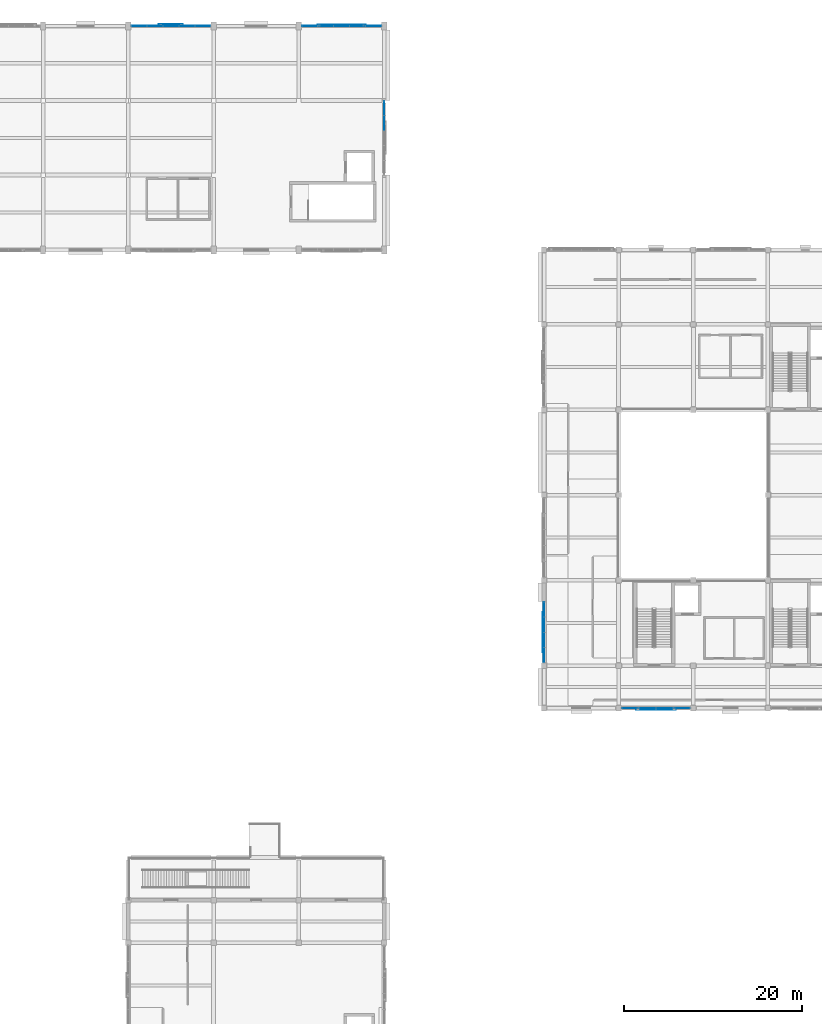
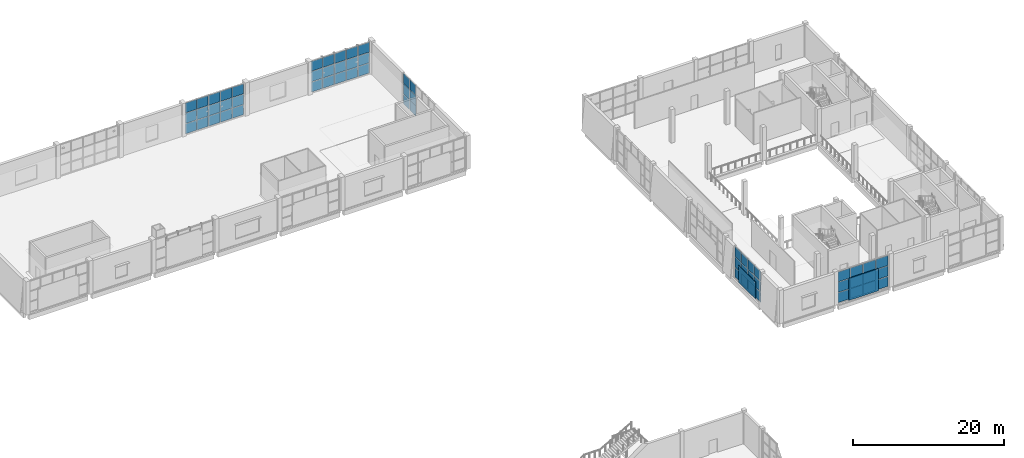
# One storey, part 34 of 57: 64 plates, 5 elements without a shape of their own.
"""IFC4 building model written with IfcOpenShell, lengths in metres."""

from ifc_helpers import new_model, si_unit, direction, frame, origin, origin_2d, place, context, subcontext, project, spatial, rectangle, extrude, material, layer, layer_set, type_object, element, aggregate, save


model = new_model("IFC4")

# Units and contexts
model_context = context("Model", 3, precision=1e-05, world=origin(), true_north=direction((0.0, 1.0)))
body_context = subcontext(model_context, "Body", "Model", "MODEL_VIEW")
ifc_project = project(units=[si_unit("LENGTHUNIT", "METRE"), si_unit("AREAUNIT", "SQUARE_METRE"), si_unit("VOLUMEUNIT", "CUBIC_METRE"), si_unit("PLANEANGLEUNIT", "RADIAN"), si_unit("MASSUNIT", "GRAM", prefix="KILO")], contexts=[model_context])

# Site, building, storey
site_placement = place(None, origin())
site = spatial("IfcSite", under=ifc_project, at=site_placement, CompositionType="ELEMENT")
building_placement = place(site_placement, origin())
building = spatial("IfcBuilding", under=site, at=building_placement, Name="Shalvenor Court Art Gallery", CompositionType="ELEMENT")
storey_placement = place(building_placement, frame((0.0, 0.0, 16.800048828125)))
storey = spatial("IfcBuildingStorey", under=building, at=storey_placement, Name="L03", CompositionType="ELEMENT", Elevation=16.800048828125)

# Curtain wall, plates
ifc_material_1 = material(Name="Anodised aluminium and low-iron glass curtain wall", Category="aluminium")
curtain_wall_type_1 = type_object("IfcCurtainWallType", Name="CW-4x3-78-51-442", PredefinedType="USERDEFINED", material=ifc_material_1)
curtain_wall_1_placement = place(storey_placement, origin())
curtain_wall_1 = element("IfcCurtainWall", 1, at=curtain_wall_1_placement, inside=storey, type_object=curtain_wall_type_1, Name="L03 V1 Curtain Wall CW-L03-026", ObjectType="CURTAIN WALL", PredefinedType="USERDEFINED")
ifc_material_2 = material(Name="Low-iron triple-silver solar gallery glazing IGU", Category="glass")
ifc_layer_1 = layer(ifc_material_2, 0.031982421875, Name="Low-iron triple-silver solar gallery glazing IGU")
ifc_layer_set_1 = layer_set([ifc_layer_1], Name="Low-iron triple-silver solar gallery glazing IGU")
plate_type_1 = type_object("IfcPlateType", Name="CWP-02", PredefinedType="CURTAIN_PANEL", material=ifc_layer_set_1)
plate_1_placement = place(storey_placement, frame((158.30615234375, 45.60009765625, 0.06982421875), z_axis=(0.0, 0.0, 1.0), x_axis=(-1.0, 0.0, 0.0)))
plate_1 = element("IfcPlate", 2, at=plate_1_placement, type_object=plate_type_1, Name="CW-4x3-78-51-442 panel 1.1", PredefinedType="CURTAIN_PANEL", context=body_context, shape_type="SweptSolid", body=[
    extrude(rectangle(XDim=1.83740234375, YDim=0.031982421875, at=origin_2d()), origin(), (0.0, 0.0, 1.0), 1.594970703125),
])
plate_2_placement = place(storey_placement, frame((158.30615234375, 45.60009765625, 1.735107421875), z_axis=(0.0, 0.0, 1.0), x_axis=(-1.0, 0.0, 0.0)))
plate_2 = element("IfcPlate", 3, at=plate_2_placement, type_object=plate_type_1, Name="CW-4x3-78-51-442 panel 1.2", PredefinedType="CURTAIN_PANEL", context=body_context, shape_type="SweptSolid", body=[
    extrude(rectangle(XDim=1.83740234375, YDim=0.031982421875, at=origin_2d()), origin(), (0.0, 0.0, 1.0), 1.6298828125),
])
plate_3_placement = place(storey_placement, frame((158.30615234375, 45.60009765625, 3.43505859375), z_axis=(0.0, 0.0, 1.0), x_axis=(-1.0, 0.0, 0.0)))
plate_3 = element("IfcPlate", 4, at=plate_3_placement, type_object=plate_type_1, Name="CW-4x3-78-51-442 panel 1.3", PredefinedType="CURTAIN_PANEL", context=body_context, shape_type="SweptSolid", body=[
    extrude(rectangle(XDim=1.83740234375, YDim=0.031982421875, at=origin_2d()), origin(), (0.0, 0.0, 1.0), 1.594970703125),
])
plate_4_placement = place(storey_placement, frame((156.375, 45.60009765625, 0.06982421875), z_axis=(0.0, 0.0, 1.0), x_axis=(-1.0, 0.0, 0.0)))
plate_4 = element("IfcPlate", 5, at=plate_4_placement, type_object=plate_type_1, Name="CW-4x3-78-51-442 panel 2.1", PredefinedType="CURTAIN_PANEL", context=body_context, shape_type="SweptSolid", body=[
    extrude(rectangle(XDim=1.875, YDim=0.031982421875, at=origin_2d()), origin(), (0.0, 0.0, 1.0), 1.594970703125),
])
plate_5_placement = place(storey_placement, frame((156.375, 45.60009765625, 1.735107421875), z_axis=(0.0, 0.0, 1.0), x_axis=(-1.0, 0.0, 0.0)))
plate_5 = element("IfcPlate", 6, at=plate_5_placement, type_object=plate_type_1, Name="CW-4x3-78-51-442 panel 2.2", PredefinedType="CURTAIN_PANEL", context=body_context, shape_type="SweptSolid", body=[
    extrude(rectangle(XDim=1.875, YDim=0.031982421875, at=origin_2d()), origin(), (0.0, 0.0, 1.0), 1.6298828125),
])
plate_6_placement = place(storey_placement, frame((156.375, 45.60009765625, 3.43505859375), z_axis=(0.0, 0.0, 1.0), x_axis=(-1.0, 0.0, 0.0)))
plate_6 = element("IfcPlate", 7, at=plate_6_placement, type_object=plate_type_1, Name="CW-4x3-78-51-442 panel 2.3", PredefinedType="CURTAIN_PANEL", context=body_context, shape_type="SweptSolid", body=[
    extrude(rectangle(XDim=1.875, YDim=0.031982421875, at=origin_2d()), origin(), (0.0, 0.0, 1.0), 1.594970703125),
])
plate_7_placement = place(storey_placement, frame((154.425048828125, 45.60009765625, 0.06982421875), z_axis=(0.0, 0.0, 1.0), x_axis=(-1.0, 0.0, 0.0)))
plate_7 = element("IfcPlate", 8, at=plate_7_placement, type_object=plate_type_1, Name="CW-4x3-78-51-442 panel 3.1", PredefinedType="CURTAIN_PANEL", context=body_context, shape_type="SweptSolid", body=[
    extrude(rectangle(XDim=1.875, YDim=0.031982421875, at=origin_2d()), origin(), (0.0, 0.0, 1.0), 1.594970703125),
])
plate_8_placement = place(storey_placement, frame((154.425048828125, 45.60009765625, 1.735107421875), z_axis=(0.0, 0.0, 1.0), x_axis=(-1.0, 0.0, 0.0)))
plate_8 = element("IfcPlate", 9, at=plate_8_placement, type_object=plate_type_1, Name="CW-4x3-78-51-442 panel 3.2", PredefinedType="CURTAIN_PANEL", context=body_context, shape_type="SweptSolid", body=[
    extrude(rectangle(XDim=1.875, YDim=0.031982421875, at=origin_2d()), origin(), (0.0, 0.0, 1.0), 1.6298828125),
])
plate_9_placement = place(storey_placement, frame((154.425048828125, 45.60009765625, 3.43505859375), z_axis=(0.0, 0.0, 1.0), x_axis=(-1.0, 0.0, 0.0)))
plate_9 = element("IfcPlate", 10, at=plate_9_placement, type_object=plate_type_1, Name="CW-4x3-78-51-442 panel 3.3", PredefinedType="CURTAIN_PANEL", context=body_context, shape_type="SweptSolid", body=[
    extrude(rectangle(XDim=1.875, YDim=0.031982421875, at=origin_2d()), origin(), (0.0, 0.0, 1.0), 1.594970703125),
])
plate_10_placement = place(storey_placement, frame((152.49365234375, 45.60009765625, 0.06982421875), z_axis=(0.0, 0.0, 1.0), x_axis=(-1.0, 0.0, 0.0)))
plate_10 = element("IfcPlate", 11, at=plate_10_placement, type_object=plate_type_1, Name="CW-4x3-78-51-442 panel 4.1", PredefinedType="CURTAIN_PANEL", context=body_context, shape_type="SweptSolid", body=[
    extrude(rectangle(XDim=1.83740234375, YDim=0.031982421875, at=origin_2d()), origin(), (0.0, 0.0, 1.0), 1.594970703125),
])
plate_11_placement = place(storey_placement, frame((152.49365234375, 45.60009765625, 1.735107421875), z_axis=(0.0, 0.0, 1.0), x_axis=(-1.0, 0.0, 0.0)))
plate_11 = element("IfcPlate", 12, at=plate_11_placement, type_object=plate_type_1, Name="CW-4x3-78-51-442 panel 4.2", PredefinedType="CURTAIN_PANEL", context=body_context, shape_type="SweptSolid", body=[
    extrude(rectangle(XDim=1.83740234375, YDim=0.031982421875, at=origin_2d()), origin(), (0.0, 0.0, 1.0), 1.6298828125),
])
plate_12_placement = place(storey_placement, frame((152.49365234375, 45.60009765625, 3.43505859375), z_axis=(0.0, 0.0, 1.0), x_axis=(-1.0, 0.0, 0.0)))
plate_12 = element("IfcPlate", 13, at=plate_12_placement, type_object=plate_type_1, Name="CW-4x3-78-51-442 panel 4.3", PredefinedType="CURTAIN_PANEL", context=body_context, shape_type="SweptSolid", body=[
    extrude(rectangle(XDim=1.83740234375, YDim=0.031982421875, at=origin_2d()), origin(), (0.0, 0.0, 1.0), 1.594970703125),
])
aggregate(curtain_wall_1, [plate_1, plate_2, plate_3, plate_4, plate_5, plate_6, plate_7, plate_8, plate_9, plate_10, plate_11, plate_12])

ifc_material_3 = material(Name="Anodised aluminium and low-iron glass curtain wall", Category="aluminium")
curtain_wall_type_2 = type_object("IfcCurtainWallType", Name="CW-4x3-69-51-612", PredefinedType="USERDEFINED", material=ifc_material_3)
curtain_wall_2_placement = place(storey_placement, origin())
curtain_wall_2 = element("IfcCurtainWall", 14, at=curtain_wall_2_placement, inside=storey, type_object=curtain_wall_type_2, Name="L03 V1 Curtain Wall CW-L03-027", ObjectType="CURTAIN WALL", PredefinedType="USERDEFINED")
plate_13_placement = place(storey_placement, frame((142.800048828125, 51.576171875, 0.06005859375), z_axis=(0.0, 0.0, 1.0), x_axis=(0.0, 1.0, 0.0)))
plate_13 = element("IfcPlate", 15, at=plate_13_placement, type_object=plate_type_1, Name="CW-4x3-69-51-612 panel 1.1", PredefinedType="CURTAIN_PANEL", context=body_context, shape_type="SweptSolid", body=[
    extrude(rectangle(XDim=1.642578125, YDim=0.031982421875, at=origin_2d()), origin(), (0.0, 0.0, 1.0), 1.610107421875),
])
plate_14_placement = place(storey_placement, frame((142.800048828125, 51.576171875, 1.72998046875), z_axis=(0.0, 0.0, 1.0), x_axis=(0.0, 1.0, 0.0)))
plate_14 = element("IfcPlate", 16, at=plate_14_placement, type_object=plate_type_1, Name="CW-4x3-69-51-612 panel 1.2", PredefinedType="CURTAIN_PANEL", context=body_context, shape_type="SweptSolid", body=[
    extrude(rectangle(XDim=1.642578125, YDim=0.031982421875, at=origin_2d()), origin(), (0.0, 0.0, 1.0), 1.639892578125),
])
plate_15_placement = place(storey_placement, frame((142.800048828125, 51.576171875, 3.4296875), z_axis=(0.0, 0.0, 1.0), x_axis=(0.0, 1.0, 0.0)))
plate_15 = element("IfcPlate", 17, at=plate_15_placement, type_object=plate_type_1, Name="CW-4x3-69-51-612 panel 1.3", PredefinedType="CURTAIN_PANEL", context=body_context, shape_type="SweptSolid", body=[
    extrude(rectangle(XDim=1.642578125, YDim=0.031982421875, at=origin_2d()), origin(), (0.0, 0.0, 1.0), 1.610107421875),
])
plate_16_placement = place(storey_placement, frame((142.800048828125, 53.28759765625, 0.06005859375), z_axis=(0.0, 0.0, 1.0), x_axis=(0.0, 1.0, 0.0)))
plate_16 = element("IfcPlate", 18, at=plate_16_placement, type_object=plate_type_1, Name="CW-4x3-69-51-612 panel 2.1", PredefinedType="CURTAIN_PANEL", context=body_context, shape_type="SweptSolid", body=[
    extrude(rectangle(XDim=1.669921875, YDim=0.031982421875, at=origin_2d()), origin(), (0.0, 0.0, 1.0), 1.610107421875),
])
plate_17_placement = place(storey_placement, frame((142.800048828125, 53.28759765625, 1.72998046875), z_axis=(0.0, 0.0, 1.0), x_axis=(0.0, 1.0, 0.0)))
plate_17 = element("IfcPlate", 19, at=plate_17_placement, type_object=plate_type_1, Name="CW-4x3-69-51-612 panel 2.2", PredefinedType="CURTAIN_PANEL", context=body_context, shape_type="SweptSolid", body=[
    extrude(rectangle(XDim=1.669921875, YDim=0.031982421875, at=origin_2d()), origin(), (0.0, 0.0, 1.0), 1.639892578125),
])
plate_18_placement = place(storey_placement, frame((142.800048828125, 53.28759765625, 3.4296875), z_axis=(0.0, 0.0, 1.0), x_axis=(0.0, 1.0, 0.0)))
plate_18 = element("IfcPlate", 20, at=plate_18_placement, type_object=plate_type_1, Name="CW-4x3-69-51-612 panel 2.3", PredefinedType="CURTAIN_PANEL", context=body_context, shape_type="SweptSolid", body=[
    extrude(rectangle(XDim=1.669921875, YDim=0.031982421875, at=origin_2d()), origin(), (0.0, 0.0, 1.0), 1.610107421875),
])
plate_19_placement = place(storey_placement, frame((142.800048828125, 55.012451171875, 0.06005859375), z_axis=(0.0, 0.0, 1.0), x_axis=(0.0, 1.0, 0.0)))
plate_19 = element("IfcPlate", 21, at=plate_19_placement, type_object=plate_type_1, Name="CW-4x3-69-51-612 panel 3.1", PredefinedType="CURTAIN_PANEL", context=body_context, shape_type="SweptSolid", body=[
    extrude(rectangle(XDim=1.669921875, YDim=0.031982421875, at=origin_2d()), origin(), (0.0, 0.0, 1.0), 1.610107421875),
])
plate_20_placement = place(storey_placement, frame((142.800048828125, 55.012451171875, 1.72998046875), z_axis=(0.0, 0.0, 1.0), x_axis=(0.0, 1.0, 0.0)))
plate_20 = element("IfcPlate", 22, at=plate_20_placement, type_object=plate_type_1, Name="CW-4x3-69-51-612 panel 3.2", PredefinedType="CURTAIN_PANEL", context=body_context, shape_type="SweptSolid", body=[
    extrude(rectangle(XDim=1.669921875, YDim=0.031982421875, at=origin_2d()), origin(), (0.0, 0.0, 1.0), 1.639892578125),
])
plate_21_placement = place(storey_placement, frame((142.800048828125, 55.012451171875, 3.4296875), z_axis=(0.0, 0.0, 1.0), x_axis=(0.0, 1.0, 0.0)))
plate_21 = element("IfcPlate", 23, at=plate_21_placement, type_object=plate_type_1, Name="CW-4x3-69-51-612 panel 3.3", PredefinedType="CURTAIN_PANEL", context=body_context, shape_type="SweptSolid", body=[
    extrude(rectangle(XDim=1.669921875, YDim=0.031982421875, at=origin_2d()), origin(), (0.0, 0.0, 1.0), 1.610107421875),
])
plate_22_placement = place(storey_placement, frame((142.800048828125, 56.7236328125, 0.06005859375), z_axis=(0.0, 0.0, 1.0), x_axis=(0.0, 1.0, 0.0)))
plate_22 = element("IfcPlate", 24, at=plate_22_placement, type_object=plate_type_1, Name="CW-4x3-69-51-612 panel 4.1", PredefinedType="CURTAIN_PANEL", context=body_context, shape_type="SweptSolid", body=[
    extrude(rectangle(XDim=1.642578125, YDim=0.031982421875, at=origin_2d()), origin(), (0.0, 0.0, 1.0), 1.610107421875),
])
plate_23_placement = place(storey_placement, frame((142.800048828125, 56.7236328125, 1.72998046875), z_axis=(0.0, 0.0, 1.0), x_axis=(0.0, 1.0, 0.0)))
plate_23 = element("IfcPlate", 25, at=plate_23_placement, type_object=plate_type_1, Name="CW-4x3-69-51-612 panel 4.2", PredefinedType="CURTAIN_PANEL", context=body_context, shape_type="SweptSolid", body=[
    extrude(rectangle(XDim=1.642578125, YDim=0.031982421875, at=origin_2d()), origin(), (0.0, 0.0, 1.0), 1.639892578125),
])
plate_24_placement = place(storey_placement, frame((142.800048828125, 56.7236328125, 3.4296875), z_axis=(0.0, 0.0, 1.0), x_axis=(0.0, 1.0, 0.0)))
plate_24 = element("IfcPlate", 26, at=plate_24_placement, type_object=plate_type_1, Name="CW-4x3-69-51-612 panel 4.3", PredefinedType="CURTAIN_PANEL", context=body_context, shape_type="SweptSolid", body=[
    extrude(rectangle(XDim=1.642578125, YDim=0.031982421875, at=origin_2d()), origin(), (0.0, 0.0, 1.0), 1.610107421875),
])
aggregate(curtain_wall_2, [plate_13, plate_14, plate_15, plate_16, plate_17, plate_18, plate_19, plate_20, plate_21, plate_22, plate_23, plate_24])

ifc_material_4 = material(Name="Anodised aluminium and low-iron glass curtain wall", Category="aluminium")
curtain_wall_type_3 = type_object("IfcCurtainWallType", Name="CW-5x3-90-51-422", PredefinedType="USERDEFINED", material=ifc_material_4)
curtain_wall_3_placement = place(storey_placement, origin())
curtain_wall_3 = element("IfcCurtainWall", 27, at=curtain_wall_3_placement, inside=storey, type_object=curtain_wall_type_3, Name="L03 V2 Curtain Wall CW-L03-082", ObjectType="CURTAIN WALL", PredefinedType="USERDEFINED")
plate_25_placement = place(storey_placement, frame((97.21875, 122.39990234375, 0.06494140625), z_axis=(0.0, 0.0, 1.0), x_axis=(1.0, 0.0, 0.0)))
plate_25 = element("IfcPlate", 28, at=plate_25_placement, type_object=plate_type_1, Name="CW-5x3-90-51-422 panel 1.1", PredefinedType="CURTAIN_PANEL", context=body_context, shape_type="SweptSolid", body=[
    extrude(rectangle(XDim=1.6875, YDim=0.031982421875, at=origin_2d()), origin(), (0.0, 0.0, 1.0), 1.6025390625),
])
plate_26_placement = place(storey_placement, frame((97.21875, 122.39990234375, 1.732421875), z_axis=(0.0, 0.0, 1.0), x_axis=(1.0, 0.0, 0.0)))
plate_26 = element("IfcPlate", 29, at=plate_26_placement, type_object=plate_type_1, Name="CW-5x3-90-51-422 panel 1.2", PredefinedType="CURTAIN_PANEL", context=body_context, shape_type="SweptSolid", body=[
    extrude(rectangle(XDim=1.6875, YDim=0.031982421875, at=origin_2d()), origin(), (0.0, 0.0, 1.0), 1.635009765625),
])
plate_27_placement = place(storey_placement, frame((97.21875, 122.39990234375, 3.432373046875), z_axis=(0.0, 0.0, 1.0), x_axis=(1.0, 0.0, 0.0)))
plate_27 = element("IfcPlate", 30, at=plate_27_placement, type_object=plate_type_1, Name="CW-5x3-90-51-422 panel 1.3", PredefinedType="CURTAIN_PANEL", context=body_context, shape_type="SweptSolid", body=[
    extrude(rectangle(XDim=1.6875, YDim=0.031982421875, at=origin_2d()), origin(), (0.0, 0.0, 1.0), 1.6025390625),
])
plate_28_placement = place(storey_placement, frame((99.0, 122.39990234375, 0.06494140625), z_axis=(0.0, 0.0, 1.0), x_axis=(1.0, 0.0, 0.0)))
plate_28 = element("IfcPlate", 31, at=plate_28_placement, type_object=plate_type_1, Name="CW-5x3-90-51-422 panel 2.1", PredefinedType="CURTAIN_PANEL", context=body_context, shape_type="SweptSolid", body=[
    extrude(rectangle(XDim=1.72509765625, YDim=0.031982421875, at=origin_2d()), origin(), (0.0, 0.0, 1.0), 1.6025390625),
])
plate_29_placement = place(storey_placement, frame((99.0, 122.39990234375, 1.732421875), z_axis=(0.0, 0.0, 1.0), x_axis=(1.0, 0.0, 0.0)))
plate_29 = element("IfcPlate", 32, at=plate_29_placement, type_object=plate_type_1, Name="CW-5x3-90-51-422 panel 2.2", PredefinedType="CURTAIN_PANEL", context=body_context, shape_type="SweptSolid", body=[
    extrude(rectangle(XDim=1.72509765625, YDim=0.031982421875, at=origin_2d()), origin(), (0.0, 0.0, 1.0), 1.635009765625),
])
plate_30_placement = place(storey_placement, frame((99.0, 122.39990234375, 3.432373046875), z_axis=(0.0, 0.0, 1.0), x_axis=(1.0, 0.0, 0.0)))
plate_30 = element("IfcPlate", 33, at=plate_30_placement, type_object=plate_type_1, Name="CW-5x3-90-51-422 panel 2.3", PredefinedType="CURTAIN_PANEL", context=body_context, shape_type="SweptSolid", body=[
    extrude(rectangle(XDim=1.72509765625, YDim=0.031982421875, at=origin_2d()), origin(), (0.0, 0.0, 1.0), 1.6025390625),
])
plate_31_placement = place(storey_placement, frame((100.800048828125, 122.39990234375, 0.06494140625), z_axis=(0.0, 0.0, 1.0), x_axis=(1.0, 0.0, 0.0)))
plate_31 = element("IfcPlate", 34, at=plate_31_placement, type_object=plate_type_1, Name="CW-5x3-90-51-422 panel 3.1", PredefinedType="CURTAIN_PANEL", context=body_context, shape_type="SweptSolid", body=[
    extrude(rectangle(XDim=1.72509765625, YDim=0.031982421875, at=origin_2d()), origin(), (0.0, 0.0, 1.0), 1.6025390625),
])
plate_32_placement = place(storey_placement, frame((100.800048828125, 122.39990234375, 1.732421875), z_axis=(0.0, 0.0, 1.0), x_axis=(1.0, 0.0, 0.0)))
plate_32 = element("IfcPlate", 35, at=plate_32_placement, type_object=plate_type_1, Name="CW-5x3-90-51-422 panel 3.2", PredefinedType="CURTAIN_PANEL", context=body_context, shape_type="SweptSolid", body=[
    extrude(rectangle(XDim=1.72509765625, YDim=0.031982421875, at=origin_2d()), origin(), (0.0, 0.0, 1.0), 1.635009765625),
])
plate_33_placement = place(storey_placement, frame((100.800048828125, 122.39990234375, 3.432373046875), z_axis=(0.0, 0.0, 1.0), x_axis=(1.0, 0.0, 0.0)))
plate_33 = element("IfcPlate", 36, at=plate_33_placement, type_object=plate_type_1, Name="CW-5x3-90-51-422 panel 3.3", PredefinedType="CURTAIN_PANEL", context=body_context, shape_type="SweptSolid", body=[
    extrude(rectangle(XDim=1.72509765625, YDim=0.031982421875, at=origin_2d()), origin(), (0.0, 0.0, 1.0), 1.6025390625),
])
plate_34_placement = place(storey_placement, frame((102.60009765625, 122.39990234375, 0.06494140625), z_axis=(0.0, 0.0, 1.0), x_axis=(1.0, 0.0, 0.0)))
plate_34 = element("IfcPlate", 37, at=plate_34_placement, type_object=plate_type_1, Name="CW-5x3-90-51-422 panel 4.1", PredefinedType="CURTAIN_PANEL", context=body_context, shape_type="SweptSolid", body=[
    extrude(rectangle(XDim=1.72509765625, YDim=0.031982421875, at=origin_2d()), origin(), (0.0, 0.0, 1.0), 1.6025390625),
])
plate_35_placement = place(storey_placement, frame((102.60009765625, 122.39990234375, 1.732421875), z_axis=(0.0, 0.0, 1.0), x_axis=(1.0, 0.0, 0.0)))
plate_35 = element("IfcPlate", 38, at=plate_35_placement, type_object=plate_type_1, Name="CW-5x3-90-51-422 panel 4.2", PredefinedType="CURTAIN_PANEL", context=body_context, shape_type="SweptSolid", body=[
    extrude(rectangle(XDim=1.72509765625, YDim=0.031982421875, at=origin_2d()), origin(), (0.0, 0.0, 1.0), 1.635009765625),
])
plate_36_placement = place(storey_placement, frame((102.60009765625, 122.39990234375, 3.432373046875), z_axis=(0.0, 0.0, 1.0), x_axis=(1.0, 0.0, 0.0)))
plate_36 = element("IfcPlate", 39, at=plate_36_placement, type_object=plate_type_1, Name="CW-5x3-90-51-422 panel 4.3", PredefinedType="CURTAIN_PANEL", context=body_context, shape_type="SweptSolid", body=[
    extrude(rectangle(XDim=1.72509765625, YDim=0.031982421875, at=origin_2d()), origin(), (0.0, 0.0, 1.0), 1.6025390625),
])
plate_37_placement = place(storey_placement, frame((104.38134765625, 122.39990234375, 0.06494140625), z_axis=(0.0, 0.0, 1.0), x_axis=(1.0, 0.0, 0.0)))
plate_37 = element("IfcPlate", 40, at=plate_37_placement, type_object=plate_type_1, Name="CW-5x3-90-51-422 panel 5.1", PredefinedType="CURTAIN_PANEL", context=body_context, shape_type="SweptSolid", body=[
    extrude(rectangle(XDim=1.6875, YDim=0.031982421875, at=origin_2d()), origin(), (0.0, 0.0, 1.0), 1.6025390625),
])
plate_38_placement = place(storey_placement, frame((104.38134765625, 122.39990234375, 1.732421875), z_axis=(0.0, 0.0, 1.0), x_axis=(1.0, 0.0, 0.0)))
plate_38 = element("IfcPlate", 41, at=plate_38_placement, type_object=plate_type_1, Name="CW-5x3-90-51-422 panel 5.2", PredefinedType="CURTAIN_PANEL", context=body_context, shape_type="SweptSolid", body=[
    extrude(rectangle(XDim=1.6875, YDim=0.031982421875, at=origin_2d()), origin(), (0.0, 0.0, 1.0), 1.635009765625),
])
plate_39_placement = place(storey_placement, frame((104.38134765625, 122.39990234375, 3.432373046875), z_axis=(0.0, 0.0, 1.0), x_axis=(1.0, 0.0, 0.0)))
plate_39 = element("IfcPlate", 42, at=plate_39_placement, type_object=plate_type_1, Name="CW-5x3-90-51-422 panel 5.3", PredefinedType="CURTAIN_PANEL", context=body_context, shape_type="SweptSolid", body=[
    extrude(rectangle(XDim=1.6875, YDim=0.031982421875, at=origin_2d()), origin(), (0.0, 0.0, 1.0), 1.6025390625),
])
aggregate(curtain_wall_3, [plate_25, plate_26, plate_27, plate_28, plate_29, plate_30, plate_31, plate_32, plate_33, plate_34, plate_35, plate_36, plate_37, plate_38, plate_39])

ifc_material_5 = material(Name="Anodised aluminium and low-iron glass curtain wall", Category="aluminium")
curtain_wall_type_4 = type_object("IfcCurtainWallType", Name="CW-5x3-90-51-642", PredefinedType="USERDEFINED", material=ifc_material_5)
curtain_wall_4_placement = place(storey_placement, origin())
curtain_wall_4 = element("IfcCurtainWall", 43, at=curtain_wall_4_placement, inside=storey, type_object=curtain_wall_type_4, Name="L03 V2 Curtain Wall CW-L03-083", ObjectType="CURTAIN WALL", PredefinedType="USERDEFINED")
plate_40_placement = place(storey_placement, frame((116.413818359375, 122.39990234375, 0.06982421875), z_axis=(0.0, 0.0, 1.0), x_axis=(1.0, 0.0, 0.0)))
plate_40 = element("IfcPlate", 44, at=plate_40_placement, type_object=plate_type_1, Name="CW-5x3-90-51-642 panel 1.1", PredefinedType="CURTAIN_PANEL", context=body_context, shape_type="SweptSolid", body=[
    extrude(rectangle(XDim=1.717529296875, YDim=0.031982421875, at=origin_2d()), origin(), (0.0, 0.0, 1.0), 1.594970703125),
])
plate_41_placement = place(storey_placement, frame((116.413818359375, 122.39990234375, 1.735107421875), z_axis=(0.0, 0.0, 1.0), x_axis=(1.0, 0.0, 0.0)))
plate_41 = element("IfcPlate", 45, at=plate_41_placement, type_object=plate_type_1, Name="CW-5x3-90-51-642 panel 1.2", PredefinedType="CURTAIN_PANEL", context=body_context, shape_type="SweptSolid", body=[
    extrude(rectangle(XDim=1.717529296875, YDim=0.031982421875, at=origin_2d()), origin(), (0.0, 0.0, 1.0), 1.6298828125),
])
plate_42_placement = place(storey_placement, frame((116.413818359375, 122.39990234375, 3.43505859375), z_axis=(0.0, 0.0, 1.0), x_axis=(1.0, 0.0, 0.0)))
plate_42 = element("IfcPlate", 46, at=plate_42_placement, type_object=plate_type_1, Name="CW-5x3-90-51-642 panel 1.3", PredefinedType="CURTAIN_PANEL", context=body_context, shape_type="SweptSolid", body=[
    extrude(rectangle(XDim=1.717529296875, YDim=0.031982421875, at=origin_2d()), origin(), (0.0, 0.0, 1.0), 1.594970703125),
])
plate_43_placement = place(storey_placement, frame((118.199951171875, 122.39990234375, 0.06982421875), z_axis=(0.0, 0.0, 1.0), x_axis=(1.0, 0.0, 0.0)))
plate_43 = element("IfcPlate", 47, at=plate_43_placement, type_object=plate_type_1, Name="CW-5x3-90-51-642 panel 2.1", PredefinedType="CURTAIN_PANEL", context=body_context, shape_type="SweptSolid", body=[
    extrude(rectangle(XDim=1.7451171875, YDim=0.031982421875, at=origin_2d()), origin(), (0.0, 0.0, 1.0), 1.594970703125),
])
plate_44_placement = place(storey_placement, frame((118.199951171875, 122.39990234375, 1.735107421875), z_axis=(0.0, 0.0, 1.0), x_axis=(1.0, 0.0, 0.0)))
plate_44 = element("IfcPlate", 48, at=plate_44_placement, type_object=plate_type_1, Name="CW-5x3-90-51-642 panel 2.2", PredefinedType="CURTAIN_PANEL", context=body_context, shape_type="SweptSolid", body=[
    extrude(rectangle(XDim=1.7451171875, YDim=0.031982421875, at=origin_2d()), origin(), (0.0, 0.0, 1.0), 1.6298828125),
])
plate_45_placement = place(storey_placement, frame((118.199951171875, 122.39990234375, 3.43505859375), z_axis=(0.0, 0.0, 1.0), x_axis=(1.0, 0.0, 0.0)))
plate_45 = element("IfcPlate", 49, at=plate_45_placement, type_object=plate_type_1, Name="CW-5x3-90-51-642 panel 2.3", PredefinedType="CURTAIN_PANEL", context=body_context, shape_type="SweptSolid", body=[
    extrude(rectangle(XDim=1.7451171875, YDim=0.031982421875, at=origin_2d()), origin(), (0.0, 0.0, 1.0), 1.594970703125),
])
plate_46_placement = place(storey_placement, frame((120.0, 122.39990234375, 0.06982421875), z_axis=(0.0, 0.0, 1.0), x_axis=(1.0, 0.0, 0.0)))
plate_46 = element("IfcPlate", 50, at=plate_46_placement, type_object=plate_type_1, Name="CW-5x3-90-51-642 panel 3.1", PredefinedType="CURTAIN_PANEL", context=body_context, shape_type="SweptSolid", body=[
    extrude(rectangle(XDim=1.7451171875, YDim=0.031982421875, at=origin_2d()), origin(), (0.0, 0.0, 1.0), 1.594970703125),
])
plate_47_placement = place(storey_placement, frame((120.0, 122.39990234375, 1.735107421875), z_axis=(0.0, 0.0, 1.0), x_axis=(1.0, 0.0, 0.0)))
plate_47 = element("IfcPlate", 51, at=plate_47_placement, type_object=plate_type_1, Name="CW-5x3-90-51-642 panel 3.2", PredefinedType="CURTAIN_PANEL", context=body_context, shape_type="SweptSolid", body=[
    extrude(rectangle(XDim=1.7451171875, YDim=0.031982421875, at=origin_2d()), origin(), (0.0, 0.0, 1.0), 1.6298828125),
])
plate_48_placement = place(storey_placement, frame((120.0, 122.39990234375, 3.43505859375), z_axis=(0.0, 0.0, 1.0), x_axis=(1.0, 0.0, 0.0)))
plate_48 = element("IfcPlate", 52, at=plate_48_placement, type_object=plate_type_1, Name="CW-5x3-90-51-642 panel 3.3", PredefinedType="CURTAIN_PANEL", context=body_context, shape_type="SweptSolid", body=[
    extrude(rectangle(XDim=1.7451171875, YDim=0.031982421875, at=origin_2d()), origin(), (0.0, 0.0, 1.0), 1.594970703125),
])
plate_49_placement = place(storey_placement, frame((121.800048828125, 122.39990234375, 0.06982421875), z_axis=(0.0, 0.0, 1.0), x_axis=(1.0, 0.0, 0.0)))
plate_49 = element("IfcPlate", 53, at=plate_49_placement, type_object=plate_type_1, Name="CW-5x3-90-51-642 panel 4.1", PredefinedType="CURTAIN_PANEL", context=body_context, shape_type="SweptSolid", body=[
    extrude(rectangle(XDim=1.7451171875, YDim=0.031982421875, at=origin_2d()), origin(), (0.0, 0.0, 1.0), 1.594970703125),
])
plate_50_placement = place(storey_placement, frame((121.800048828125, 122.39990234375, 1.735107421875), z_axis=(0.0, 0.0, 1.0), x_axis=(1.0, 0.0, 0.0)))
plate_50 = element("IfcPlate", 54, at=plate_50_placement, type_object=plate_type_1, Name="CW-5x3-90-51-642 panel 4.2", PredefinedType="CURTAIN_PANEL", context=body_context, shape_type="SweptSolid", body=[
    extrude(rectangle(XDim=1.7451171875, YDim=0.031982421875, at=origin_2d()), origin(), (0.0, 0.0, 1.0), 1.6298828125),
])
plate_51_placement = place(storey_placement, frame((121.800048828125, 122.39990234375, 3.43505859375), z_axis=(0.0, 0.0, 1.0), x_axis=(1.0, 0.0, 0.0)))
plate_51 = element("IfcPlate", 55, at=plate_51_placement, type_object=plate_type_1, Name="CW-5x3-90-51-642 panel 4.3", PredefinedType="CURTAIN_PANEL", context=body_context, shape_type="SweptSolid", body=[
    extrude(rectangle(XDim=1.7451171875, YDim=0.031982421875, at=origin_2d()), origin(), (0.0, 0.0, 1.0), 1.594970703125),
])
plate_52_placement = place(storey_placement, frame((123.586181640625, 122.39990234375, 0.06982421875), z_axis=(0.0, 0.0, 1.0), x_axis=(1.0, 0.0, 0.0)))
plate_52 = element("IfcPlate", 56, at=plate_52_placement, type_object=plate_type_1, Name="CW-5x3-90-51-642 panel 5.1", PredefinedType="CURTAIN_PANEL", context=body_context, shape_type="SweptSolid", body=[
    extrude(rectangle(XDim=1.717529296875, YDim=0.031982421875, at=origin_2d()), origin(), (0.0, 0.0, 1.0), 1.594970703125),
])
plate_53_placement = place(storey_placement, frame((123.586181640625, 122.39990234375, 1.735107421875), z_axis=(0.0, 0.0, 1.0), x_axis=(1.0, 0.0, 0.0)))
plate_53 = element("IfcPlate", 57, at=plate_53_placement, type_object=plate_type_1, Name="CW-5x3-90-51-642 panel 5.2", PredefinedType="CURTAIN_PANEL", context=body_context, shape_type="SweptSolid", body=[
    extrude(rectangle(XDim=1.717529296875, YDim=0.031982421875, at=origin_2d()), origin(), (0.0, 0.0, 1.0), 1.6298828125),
])
plate_54_placement = place(storey_placement, frame((123.586181640625, 122.39990234375, 3.43505859375), z_axis=(0.0, 0.0, 1.0), x_axis=(1.0, 0.0, 0.0)))
plate_54 = element("IfcPlate", 58, at=plate_54_placement, type_object=plate_type_1, Name="CW-5x3-90-51-642 panel 5.3", PredefinedType="CURTAIN_PANEL", context=body_context, shape_type="SweptSolid", body=[
    extrude(rectangle(XDim=1.717529296875, YDim=0.031982421875, at=origin_2d()), origin(), (0.0, 0.0, 1.0), 1.594970703125),
])
aggregate(curtain_wall_4, [plate_40, plate_41, plate_42, plate_43, plate_44, plate_45, plate_46, plate_47, plate_48, plate_49, plate_50, plate_51, plate_52, plate_53, plate_54])

ifc_material_6 = material(Name="Anodised aluminium and low-iron glass curtain wall", Category="aluminium")
curtain_wall_type_5 = type_object("IfcCurtainWallType", Name="CW-5x3-84-51-112", PredefinedType="USERDEFINED", material=ifc_material_6)
curtain_wall_5_placement = place(storey_placement, origin())
curtain_wall_5 = element("IfcCurtainWall", 59, at=curtain_wall_5_placement, inside=storey, type_object=curtain_wall_type_5, Name="L03 V2 Curtain Wall CW-L03-084", ObjectType="CURTAIN WALL", PredefinedType="USERDEFINED")
plate_55_placement = place(storey_placement, frame((124.800048828125, 113.143798828125, 0.06005859375), z_axis=(0.0, 0.0, 1.0), x_axis=(0.0, -1.0, 0.0)))
plate_55 = element("IfcPlate", 60, at=plate_55_placement, type_object=plate_type_1, Name="CW-5x3-84-51-112 panel 1.1", PredefinedType="CURTAIN_PANEL", context=body_context, shape_type="SweptSolid", body=[
    extrude(rectangle(XDim=1.58251953125, YDim=0.031982421875, at=origin_2d()), origin(), (0.0, 0.0, 1.0), 1.610107421875),
])
plate_56_placement = place(storey_placement, frame((124.800048828125, 113.143798828125, 1.72998046875), z_axis=(0.0, 0.0, 1.0), x_axis=(0.0, -1.0, 0.0)))
plate_56 = element("IfcPlate", 61, at=plate_56_placement, type_object=plate_type_1, Name="CW-5x3-84-51-112 panel 1.2", PredefinedType="CURTAIN_PANEL", context=body_context, shape_type="SweptSolid", body=[
    extrude(rectangle(XDim=1.58251953125, YDim=0.031982421875, at=origin_2d()), origin(), (0.0, 0.0, 1.0), 1.639892578125),
])
plate_57_placement = place(storey_placement, frame((124.800048828125, 113.143798828125, 3.4296875), z_axis=(0.0, 0.0, 1.0), x_axis=(0.0, -1.0, 0.0)))
plate_57 = element("IfcPlate", 62, at=plate_57_placement, type_object=plate_type_1, Name="CW-5x3-84-51-112 panel 1.3", PredefinedType="CURTAIN_PANEL", context=body_context, shape_type="SweptSolid", body=[
    extrude(rectangle(XDim=1.58251953125, YDim=0.031982421875, at=origin_2d()), origin(), (0.0, 0.0, 1.0), 1.610107421875),
])
plate_58_placement = place(storey_placement, frame((124.800048828125, 111.47998046875, 0.06005859375), z_axis=(0.0, 0.0, 1.0), x_axis=(0.0, -1.0, 0.0)))
plate_58 = element("IfcPlate", 63, at=plate_58_placement, type_object=plate_type_1, Name="CW-5x3-84-51-112 panel 2.1", PredefinedType="CURTAIN_PANEL", context=body_context, shape_type="SweptSolid", body=[
    extrude(rectangle(XDim=1.614990234375, YDim=0.031982421875, at=origin_2d()), origin(), (0.0, 0.0, 1.0), 1.610107421875),
])
plate_59_placement = place(storey_placement, frame((124.800048828125, 111.47998046875, 1.72998046875), z_axis=(0.0, 0.0, 1.0), x_axis=(0.0, -1.0, 0.0)))
plate_59 = element("IfcPlate", 64, at=plate_59_placement, type_object=plate_type_1, Name="CW-5x3-84-51-112 panel 2.2", PredefinedType="CURTAIN_PANEL", context=body_context, shape_type="SweptSolid", body=[
    extrude(rectangle(XDim=1.614990234375, YDim=0.031982421875, at=origin_2d()), origin(), (0.0, 0.0, 1.0), 1.639892578125),
])
plate_60_placement = place(storey_placement, frame((124.800048828125, 111.47998046875, 3.4296875), z_axis=(0.0, 0.0, 1.0), x_axis=(0.0, -1.0, 0.0)))
plate_60 = element("IfcPlate", 65, at=plate_60_placement, type_object=plate_type_1, Name="CW-5x3-84-51-112 panel 2.3", PredefinedType="CURTAIN_PANEL", context=body_context, shape_type="SweptSolid", body=[
    extrude(rectangle(XDim=1.614990234375, YDim=0.031982421875, at=origin_2d()), origin(), (0.0, 0.0, 1.0), 1.610107421875),
])
aggregate(curtain_wall_5, [plate_55, plate_56, plate_57, plate_58, plate_59, plate_60])

# Plates
ifc_material_7 = material(Name="Perforated pale limestone GRC lattice", Category="masonry")
ifc_layer_2 = layer(ifc_material_7, 0.090087890625, Name="Perforated pale limestone GRC lattice")
ifc_layer_set_2 = layer_set([ifc_layer_2], Name="Perforated pale limestone GRC lattice")
plate_type_2 = type_object("IfcPlateType", Name="SCR-02", PredefinedType="USERDEFINED", material=ifc_layer_set_2)
plate_61_placement = place(storey_placement, frame((155.39990234375, 45.447021484375, 0.0), z_axis=(0.0, 0.0, 1.0), x_axis=(-1.0, 0.0, 0.0)))
element("IfcPlate", 66, at=plate_61_placement, inside=storey, type_object=plate_type_2, Name="L03 V1 Perforated Stone Lattice Screen PLT-SCR-0026", ObjectType="SCREEN", PredefinedType="USERDEFINED", context=body_context, shape_type="SweptSolid", body=[
    extrude(rectangle(XDim=4.5, YDim=0.090087890625, at=origin_2d()), origin(), (0.0, 0.0, 1.0), 3.60009765625),
])
ifc_material_8 = material(Name="Perforated pale limestone GRC lattice", Category="masonry")
ifc_layer_3 = layer(ifc_material_8, 0.090087890625, Name="Perforated pale limestone GRC lattice")
ifc_layer_set_3 = layer_set([ifc_layer_3], Name="Perforated pale limestone GRC lattice")
plate_type_3 = type_object("IfcPlateType", Name="SCR-09", PredefinedType="USERDEFINED", material=ifc_layer_set_3)
plate_62_placement = place(storey_placement, frame((142.68701171875, 54.14990234375, 0.0), z_axis=(0.0, 0.0, 1.0), x_axis=(0.0, 1.0, 0.0)))
element("IfcPlate", 67, at=plate_62_placement, inside=storey, type_object=plate_type_3, Name="L03 V1 Perforated Stone Lattice Screen PLT-SCR-0027", ObjectType="SCREEN", PredefinedType="USERDEFINED", context=body_context, shape_type="SweptSolid", body=[
    extrude(rectangle(XDim=4.5, YDim=0.090087890625, at=origin_2d()), origin(), (0.0, 0.0, 1.0), 2.699951171875),
])
ifc_material_9 = material(Name="Perforated pale limestone GRC lattice", Category="masonry")
ifc_layer_4 = layer(ifc_material_9, 0.0849609375, Name="Perforated pale limestone GRC lattice")
ifc_layer_set_4 = layer_set([ifc_layer_4], Name="Perforated pale limestone GRC lattice")
plate_type_4 = type_object("IfcPlateType", Name="SCR-13", PredefinedType="USERDEFINED", material=ifc_layer_set_4)
plate_63_placement = place(storey_placement, frame((100.800048828125, 122.550537109375, 0.0), z_axis=(0.0, 0.0, 1.0), x_axis=(1.0, 0.0, 0.0)))
element("IfcPlate", 68, at=plate_63_placement, inside=storey, type_object=plate_type_4, Name="L03 V2 Perforated Stone Lattice Screen PLT-SCR-0069", ObjectType="SCREEN", PredefinedType="USERDEFINED", context=body_context, shape_type="SweptSolid", body=[
    extrude(rectangle(XDim=2.699951171875, YDim=0.0849609375, at=origin_2d()), origin(), (0.0, 0.0, 1.0), 2.699951171875),
])
ifc_material_10 = material(Name="Perforated pale limestone GRC lattice", Category="masonry")
ifc_layer_5 = layer(ifc_material_10, 0.0849609375, Name="Perforated pale limestone GRC lattice")
ifc_layer_set_5 = layer_set([ifc_layer_5], Name="Perforated pale limestone GRC lattice")
plate_type_5 = type_object("IfcPlateType", Name="SCR-14", PredefinedType="USERDEFINED", material=ifc_layer_set_5)
plate_64_placement = place(storey_placement, frame((120.0, 122.510498046875, 0.0), z_axis=(0.0, 0.0, 1.0), x_axis=(1.0, 0.0, 0.0)))
element("IfcPlate", 69, at=plate_64_placement, inside=storey, type_object=plate_type_5, Name="L03 V2 Perforated Stone Lattice Screen PLT-SCR-0070", ObjectType="SCREEN", PredefinedType="USERDEFINED", context=body_context, shape_type="SweptSolid", body=[
    extrude(rectangle(XDim=5.39990234375, YDim=0.0849609375, at=origin_2d()), origin(), (0.0, 0.0, 1.0), 2.699951171875),
])

save(model, "model.ifc")
